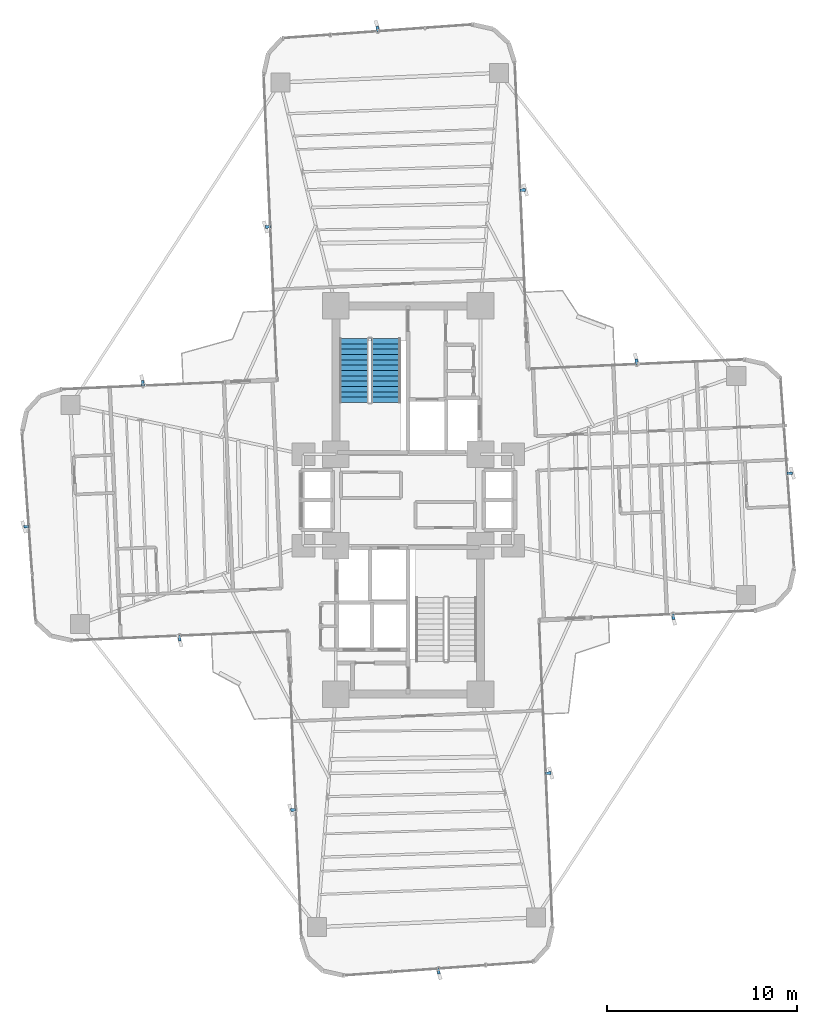
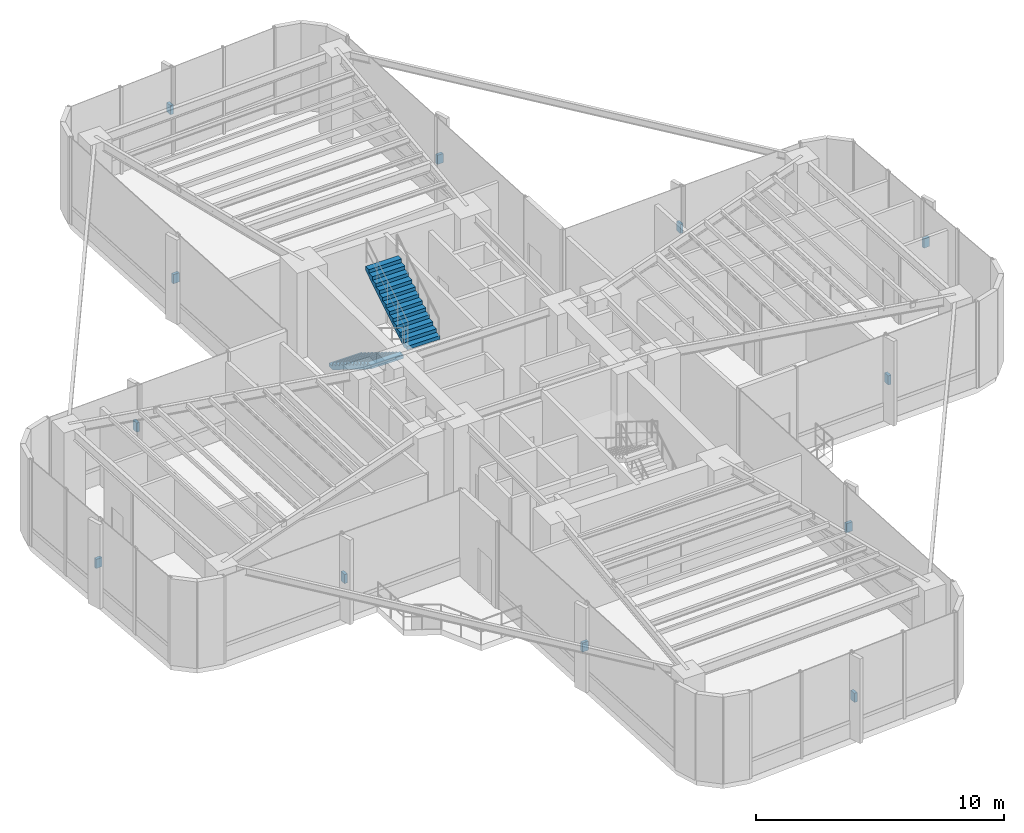
# One storey, part 22 of 23: 12 discrete accessories, 2 stair flights, 1 element without a shape of its own.
"""IFC4 building model written with IfcOpenShell, lengths in metres."""

from ifc_helpers import new_model, si_unit, direction, frame, origin, origin_2d, place, context, subcontext, project, spatial, polyline, rectangle, outline, extrude, source, transform, mapped, material, type_object, element, aggregate, save


model = new_model("IFC4")

# Units and contexts
model_context = context("Model", 3, precision=1e-05, world=origin(), true_north=direction((0.0, 1.0)))
body_context = subcontext(model_context, "Body", "Model", "MODEL_VIEW")
ifc_project = project(units=[si_unit("LENGTHUNIT", "METRE"), si_unit("AREAUNIT", "SQUARE_METRE"), si_unit("VOLUMEUNIT", "CUBIC_METRE"), si_unit("PLANEANGLEUNIT", "RADIAN"), si_unit("MASSUNIT", "GRAM", prefix="KILO")], contexts=[model_context])

# Site, building, storey
site_placement = place(None, origin())
site = spatial("IfcSite", under=ifc_project, at=site_placement, CompositionType="ELEMENT")
building_placement = place(site_placement, origin())
building = spatial("IfcBuilding", under=site, at=building_placement, Name="Sahyath Konkavel Grand Hotel", CompositionType="ELEMENT")
storey_placement = place(building_placement, frame((0.0, 0.0, 106.949951171875)))
storey = spatial("IfcBuildingStorey", under=building, at=storey_placement, Name="L29", CompositionType="ELEMENT", Elevation=106.949951171875)

# Stair, stair flights
ifc_material_1 = material(Name="Concrete C40/50", Category="concrete")
stair_type = type_object("IfcStairType", Name="STR-ST16-450", PredefinedType="HALF_TURN_STAIR", material=ifc_material_1)
stair_placement = place(storey_placement, origin())
stair = element("IfcStair", 1, at=stair_placement, inside=storey, type_object=stair_type, Name="L29 North Core Smokeproof Exit Stair ST-1", PredefinedType="HALF_TURN_STAIR")
stair_flight_type = type_object("IfcStairFlightType", Name="STF-ST16-450", PredefinedType="STRAIGHT", material=ifc_material_1)
stair_flight_1_placement = place(storey_placement, frame((-2.840087890625, 8.47998046875, 0.0), z_axis=(0.0, 0.0, 1.0), x_axis=(0.0, -1.0, 0.0)))
stair_flight_1 = element("IfcStairFlight", 2, at=stair_flight_1_placement, type_object=stair_flight_type, Name="ST-1 flight 1", NumberOfRisers=13, NumberOfTreads=12, PredefinedType="STRAIGHT", RiserHeight=0.173076923, TreadLength=0.28, context=body_context, shape_type="SweptSolid", body=[
    extrude(outline(polyline([(0.0, 0.0), (0.0, 0.173095703125), (0.280029296875, 0.173095703125), (0.280029296875, 0.34619140625), (0.56005859375, 0.34619140625), (0.56005859375, 0.519287109375), (0.840087890625, 0.519287109375), (0.840087890625, 0.6923828125), (1.1201171875, 0.6923828125), (1.1201171875, 0.865478515625), (1.39990234375, 0.865478515625), (1.39990234375, 1.03857421875), (1.679931640625, 1.03857421875), (1.679931640625, 1.21142578125), (1.9599609375, 1.21142578125), (1.9599609375, 1.384521484375), (2.239990234375, 1.384521484375), (2.239990234375, 1.5576171875), (2.52001953125, 1.5576171875), (2.52001953125, 1.730712890625), (2.800048828125, 1.730712890625), (2.800048828125, 1.90380859375), (3.080078125, 1.90380859375), (3.080078125, 2.076904296875), (3.360107421875, 2.076904296875), (3.360107421875, 2.25), (3.360107421875, 1.900634765625), (0.28515625, 0.0), (0.0, 0.0)])), frame((0.0, 0.760009765625, 0.0), z_axis=(0.0, -1.0, 0.0), x_axis=(1.0, 0.0, 0.0)), (0.0, 0.0, 1.0), 1.52001953125),
])
stair_flight_2_placement = place(storey_placement, frame((-1.159912109375, 5.1201171875, 2.25), z_axis=(0.0, 0.0, 1.0), x_axis=(0.0, 1.0, 0.0)))
stair_flight_2 = element("IfcStairFlight", 3, at=stair_flight_2_placement, type_object=stair_flight_type, Name="ST-1 flight 2", NumberOfRisers=13, NumberOfTreads=12, PredefinedType="STRAIGHT", RiserHeight=0.173076923, TreadLength=0.28, context=body_context, shape_type="SweptSolid", body=[
    extrude(outline(polyline([(0.0, 0.0), (0.0, 0.173095703125), (0.280029296875, 0.173095703125), (0.280029296875, 0.34619140625), (0.56005859375, 0.34619140625), (0.56005859375, 0.519287109375), (0.840087890625, 0.519287109375), (0.840087890625, 0.6923828125), (1.1201171875, 0.6923828125), (1.1201171875, 0.865478515625), (1.39990234375, 0.865478515625), (1.39990234375, 1.03857421875), (1.679931640625, 1.03857421875), (1.679931640625, 1.21142578125), (1.9599609375, 1.21142578125), (1.9599609375, 1.384521484375), (2.239990234375, 1.384521484375), (2.239990234375, 1.5576171875), (2.52001953125, 1.5576171875), (2.52001953125, 1.730712890625), (2.800048828125, 1.730712890625), (2.800048828125, 1.90380859375), (3.080078125, 1.90380859375), (3.080078125, 2.076904296875), (3.360107421875, 2.076904296875), (3.360107421875, 2.25), (3.360107421875, 1.900634765625), (0.28515625, 0.0), (0.0, 0.0)])), frame((0.0, 0.760009765625, 0.0), z_axis=(0.0, -1.0, 0.0), x_axis=(1.0, 0.0, 0.0)), (0.0, 0.0, 1.0), 1.52001953125),
])
aggregate(stair, [stair_flight_1, stair_flight_2])

# Discrete accessories
ifc_material_2 = material(Name="Steel E350", Category="steel")
discrete_accessory_type = type_object("IfcDiscreteAccessoryType", Name="ACC-FIN-BRACKET", PredefinedType="BRACKET", material=ifc_material_2)
shared_shape = source(origin(), body_context, "Body", "SweptSolid", [
    extrude(rectangle(XDim=0.280029296875, YDim=0.139892578125, at=origin_2d()), origin(), (0.0, 0.0, 1.0), 0.449951171875),
])
for number, where, z_axis, x_axis, name in (
    (4, (13.9306640625, -6.128173828125, 1.9052734375), (0.0, 0.0, 1.0), (0.043601950678, -0.999048982732, 0.0), "L29 Fin Support Bracket F0-1"),
    (5, (20.047119140625, 1.404296875, 1.9052734375), (0.0, 0.0, 1.0), (0.997435789037, 0.071567078661, 0.0), "L29 Fin Support Bracket F4-2"),
    (6, (11.99462890625, 7.26025390625, 1.9052734375), (0.0, 0.0, 1.0), (-0.043619387365, 0.999048221582, 0.0), "L29 Fin Support Bracket F7-1"),
    (7, (6.025634765625, 16.2783203125, 1.9052734375), (0.0, 0.0, 1.0), (0.999048221582, 0.043619387365, 0.0), "L29 Fin Support Bracket F8-1"),
    (8, (-1.609375, 24.74267578125, 1.9052734375), (0.0, 0.0, 1.0), (-0.071567078661, 0.997435789037, 0.0), "L29 Fin Support Bracket F12-2"),
    (9, (-7.362548828125, 14.342529296875, 1.9052734375), (0.0, 0.0, 1.0), (-0.999048221582, -0.043619387365, 0.0), "L29 Fin Support Bracket F15-1"),
    (10, (-13.9306640625, 6.128173828125, 1.9052734375), (0.0, 0.0, 1.0), (-0.043601950678, 0.999048982732, 0.0), "L29 Fin Support Bracket F16-1"),
    (11, (-20.047119140625, -1.404296875, 1.9052734375), (0.0, 0.0, 1.0), (-0.997435789037, -0.071567078661, 0.0), "L29 Fin Support Bracket F20-2"),
    (12, (-11.99462890625, -7.26025390625, 1.9052734375), (0.0, 0.0, 1.0), (0.043619387365, -0.999048221582, 0.0), "L29 Fin Support Bracket F23-1"),
    (13, (-6.025634765625, -16.2783203125, 1.9052734375), (0.0, 0.0, 1.0), (-0.999048221582, -0.043619387365, 0.0), "L29 Fin Support Bracket F24-1"),
    (14, (1.609375, -24.74267578125, 1.9052734375), (0.0, 0.0, 1.0), (0.071567078661, -0.997435789037, 0.0), "L29 Fin Support Bracket F28-2"),
    (15, (7.362548828125, -14.342529296875, 1.9052734375), (0.0, 0.0, 1.0), (0.999048221582, 0.043619387365, 0.0), "L29 Fin Support Bracket F31-1"),
):
    element("IfcDiscreteAccessory", number, at=place(storey_placement, frame(where, z_axis=z_axis, x_axis=x_axis)), inside=storey, type_object=discrete_accessory_type, Name=name, PredefinedType="BRACKET", context=body_context, shape_type="MappedRepresentation", body=[
        mapped(shared_shape, transform((0.0, 0.0, 0.0), scale=1.0)),
    ])

save(model, "model.ifc")
